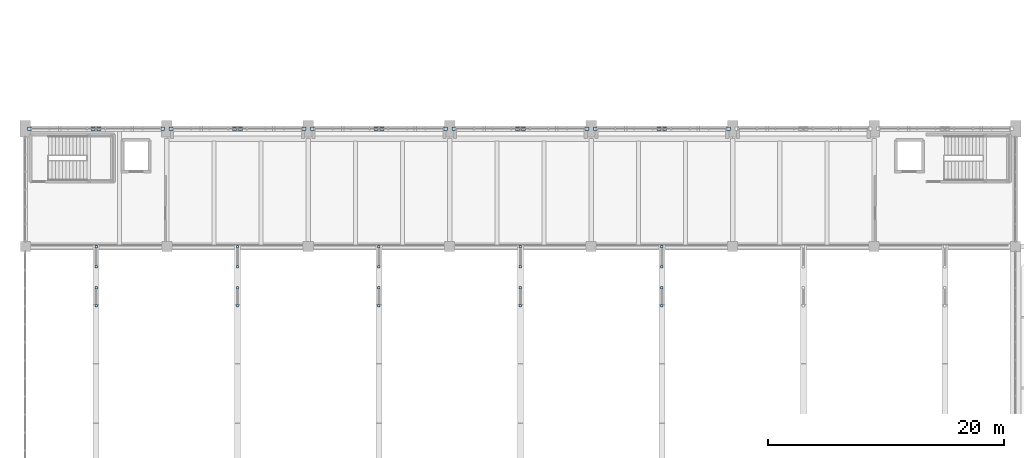
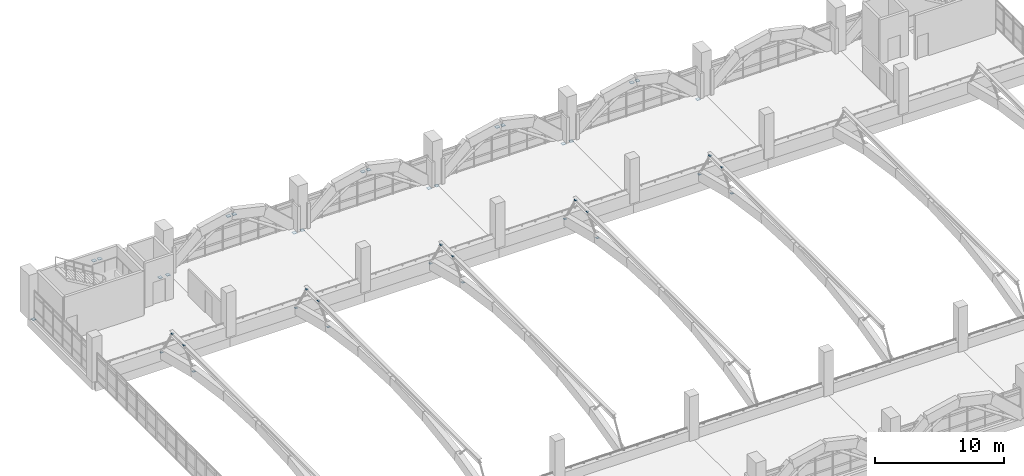
# One storey, part 143 of 161: 40 plates.
"""IFC4 building model written with IfcOpenShell, lengths in metres."""

from ifc_helpers import new_model, si_unit, direction, frame, origin, origin_2d, place, context, subcontext, project, spatial, rectangle, extrude, material, layer, layer_set, type_object, element, save


model = new_model("IFC4")

# Units and contexts
model_context = context("Model", 3, precision=1e-05, world=origin(), true_north=direction((0.0, 1.0)))
body_context = subcontext(model_context, "Body", "Model", "MODEL_VIEW")
ifc_project = project(units=[si_unit("LENGTHUNIT", "METRE"), si_unit("AREAUNIT", "SQUARE_METRE"), si_unit("VOLUMEUNIT", "CUBIC_METRE"), si_unit("PLANEANGLEUNIT", "RADIAN"), si_unit("MASSUNIT", "GRAM", prefix="KILO")], contexts=[model_context])

# Site, building, storey
site_placement = place(None, origin())
site = spatial("IfcSite", under=ifc_project, at=site_placement, CompositionType="ELEMENT")
building_placement = place(site_placement, origin())
building = spatial("IfcBuilding", under=site, at=building_placement, Name="Mersad Railyard Sports Hall", CompositionType="ELEMENT")
storey_placement = place(building_placement, frame((0.0, 0.0, 4.800048828125)))
storey = spatial("IfcBuildingStorey", under=building, at=storey_placement, Name="L01", CompositionType="ELEMENT", Elevation=4.800048828125)

# Plates
ifc_material = material(Name="Steel S355", Category="steel")
ifc_layer_1 = layer(ifc_material, 0.01611328125)
ifc_layer_set_1 = layer_set([ifc_layer_1], Name="Steel S355")
plate_type_1 = type_object("IfcPlateType", Name="STR-PL-KP02", PredefinedType="SHEET", material=ifc_layer_set_1)
for number, where, z_axis, x_axis, name in (
    (1, (13.0, 43.5, 0.33154296875), (0.0, 0.0, 1.0), (1.0, 0.0, 0.0), "End cap plate KP02-0121"),
    (2, (13.0, 41.800048828125, 3.141845703125), (0.0, 0.0, 1.0), (1.0, 0.0, 0.0), "End cap plate KP02-0122"),
    (3, (13.0, 38.5, 1.5712890625), (0.0, 0.0, 1.0), (1.0, 0.0, 0.0), "End cap plate KP02-0123"),
    (4, (13.0, 40.0, 3.141845703125), (0.0, 0.0, 1.0), (1.0, 0.0, 0.0), "End cap plate KP02-0124"),
    (5, (25.0, 43.5, 0.33154296875), (0.0, 0.0, 1.0), (1.0, 0.0, 0.0), "End cap plate KP02-0129"),
    (6, (25.0, 41.800048828125, 3.141845703125), (0.0, 0.0, 1.0), (1.0, 0.0, 0.0), "End cap plate KP02-0130"),
    (7, (25.0, 38.5, 1.5712890625), (0.0, 0.0, 1.0), (1.0, 0.0, 0.0), "End cap plate KP02-0131"),
    (8, (25.0, 40.0, 3.141845703125), (0.0, 0.0, 1.0), (1.0, 0.0, 0.0), "End cap plate KP02-0132"),
    (9, (37.0, 43.5, 0.33154296875), (0.0, 0.0, 1.0), (1.0, 0.0, 0.0), "End cap plate KP02-0137"),
    (10, (37.0, 41.800048828125, 3.141845703125), (0.0, 0.0, 1.0), (1.0, 0.0, 0.0), "End cap plate KP02-0138"),
    (11, (37.0, 38.5, 1.5712890625), (0.0, 0.0, 1.0), (1.0, 0.0, 0.0), "End cap plate KP02-0139"),
    (12, (37.0, 40.0, 3.141845703125), (0.0, 0.0, 1.0), (1.0, 0.0, 0.0), "End cap plate KP02-0140"),
    (13, (49.0, 43.5, 0.33154296875), (0.0, 0.0, 1.0), (1.0, 0.0, 0.0), "End cap plate KP02-0145"),
    (14, (49.0, 41.800048828125, 3.141845703125), (0.0, 0.0, 1.0), (1.0, 0.0, 0.0), "End cap plate KP02-0146"),
    (15, (49.0, 38.5, 1.5712890625), (0.0, 0.0, 1.0), (1.0, 0.0, 0.0), "End cap plate KP02-0147"),
    (16, (49.0, 40.0, 3.141845703125), (0.0, 0.0, 1.0), (1.0, 0.0, 0.0), "End cap plate KP02-0148"),
    (17, (61.0, 43.5, 0.33154296875), (0.0, 0.0, 1.0), (1.0, 0.0, 0.0), "End cap plate KP02-0153"),
    (18, (61.0, 41.800048828125, 3.141845703125), (0.0, 0.0, 1.0), (1.0, 0.0, 0.0), "End cap plate KP02-0154"),
    (19, (61.0, 38.5, 1.5712890625), (0.0, 0.0, 1.0), (1.0, 0.0, 0.0), "End cap plate KP02-0155"),
    (20, (61.0, 40.0, 3.141845703125), (0.0, 0.0, 1.0), (1.0, 0.0, 0.0), "End cap plate KP02-0156"),
):
    element("IfcPlate", number, at=place(storey_placement, frame(where, z_axis=z_axis, x_axis=x_axis)), inside=storey, type_object=plate_type_1, Name=name, PredefinedType="SHEET", context=body_context, shape_type="SweptSolid", body=[
        extrude(rectangle(XDim=0.2099609375, YDim=0.2099609375, at=origin_2d()), origin(), (0.0, 0.0, 1.0), 0.01611328125),
    ])
ifc_layer_2 = layer(ifc_material, 0.0400390625)
ifc_layer_set_2 = layer_set([ifc_layer_2], Name="Steel S355")
plate_type_2 = type_object("IfcPlateType", Name="STR-PL-KP06", PredefinedType="SHEET", material=ifc_layer_set_2)
for number, where, z_axis, x_axis, name in (
    (21, (7.35009765625, 53.5, -0.64013671875), (0.0, 0.0, 1.0), (1.0, 0.0, 0.0), "End cap plate KP06-0005"),
    (22, (12.75, 53.5, 3.0), (0.0, 0.0, 1.0), (1.0, 0.0, 0.0), "End cap plate KP06-0006"),
    (23, (18.64990234375, 53.5, -0.64013671875), (0.0, 0.0, 1.0), (1.0, 0.0, 0.0), "End cap plate KP06-0007"),
    (24, (13.25, 53.5, 3.0), (0.0, 0.0, 1.0), (1.0, 0.0, 0.0), "End cap plate KP06-0008"),
    (25, (19.35009765625, 53.5, -0.64013671875), (0.0, 0.0, 1.0), (1.0, 0.0, 0.0), "End cap plate KP06-0013"),
    (26, (24.75, 53.5, 3.0), (0.0, 0.0, 1.0), (1.0, 0.0, 0.0), "End cap plate KP06-0014"),
    (27, (30.64990234375, 53.5, -0.64013671875), (0.0, 0.0, 1.0), (1.0, 0.0, 0.0), "End cap plate KP06-0015"),
    (28, (25.25, 53.5, 3.0), (0.0, 0.0, 1.0), (1.0, 0.0, 0.0), "End cap plate KP06-0016"),
    (29, (31.35009765625, 53.5, -0.64013671875), (0.0, 0.0, 1.0), (1.0, 0.0, 0.0), "End cap plate KP06-0021"),
    (30, (36.75, 53.5, 3.0), (0.0, 0.0, 1.0), (1.0, 0.0, 0.0), "End cap plate KP06-0022"),
    (31, (42.64990234375, 53.5, -0.64013671875), (0.0, 0.0, 1.0), (1.0, 0.0, 0.0), "End cap plate KP06-0023"),
    (32, (37.25, 53.5, 3.0), (0.0, 0.0, 1.0), (1.0, 0.0, 0.0), "End cap plate KP06-0024"),
    (33, (43.35009765625, 53.5, -0.64013671875), (0.0, 0.0, 1.0), (1.0, 0.0, 0.0), "End cap plate KP06-0029"),
    (34, (48.75, 53.5, 3.0), (0.0, 0.0, 1.0), (1.0, 0.0, 0.0), "End cap plate KP06-0030"),
    (35, (54.64990234375, 53.5, -0.64013671875), (0.0, 0.0, 1.0), (1.0, 0.0, 0.0), "End cap plate KP06-0031"),
    (36, (49.25, 53.5, 3.0), (0.0, 0.0, 1.0), (1.0, 0.0, 0.0), "End cap plate KP06-0032"),
    (37, (55.35009765625, 53.5, -0.64013671875), (0.0, 0.0, 1.0), (1.0, 0.0, 0.0), "End cap plate KP06-0037"),
    (38, (60.75, 53.5, 3.0), (0.0, 0.0, 1.0), (1.0, 0.0, 0.0), "End cap plate KP06-0038"),
    (39, (66.64990234375, 53.5, -0.64013671875), (0.0, 0.0, 1.0), (1.0, 0.0, 0.0), "End cap plate KP06-0039"),
    (40, (61.25, 53.5, 3.0), (0.0, 0.0, 1.0), (1.0, 0.0, 0.0), "End cap plate KP06-0040"),
):
    element("IfcPlate", number, at=place(storey_placement, frame(where, z_axis=z_axis, x_axis=x_axis)), inside=storey, type_object=plate_type_2, Name=name, PredefinedType="SHEET", context=body_context, shape_type="SweptSolid", body=[
        extrude(rectangle(XDim=0.320068359375, YDim=0.320068359375, at=origin_2d()), origin(), (0.0, 0.0, 1.0), 0.0400390625),
    ])

save(model, "model.ifc")
